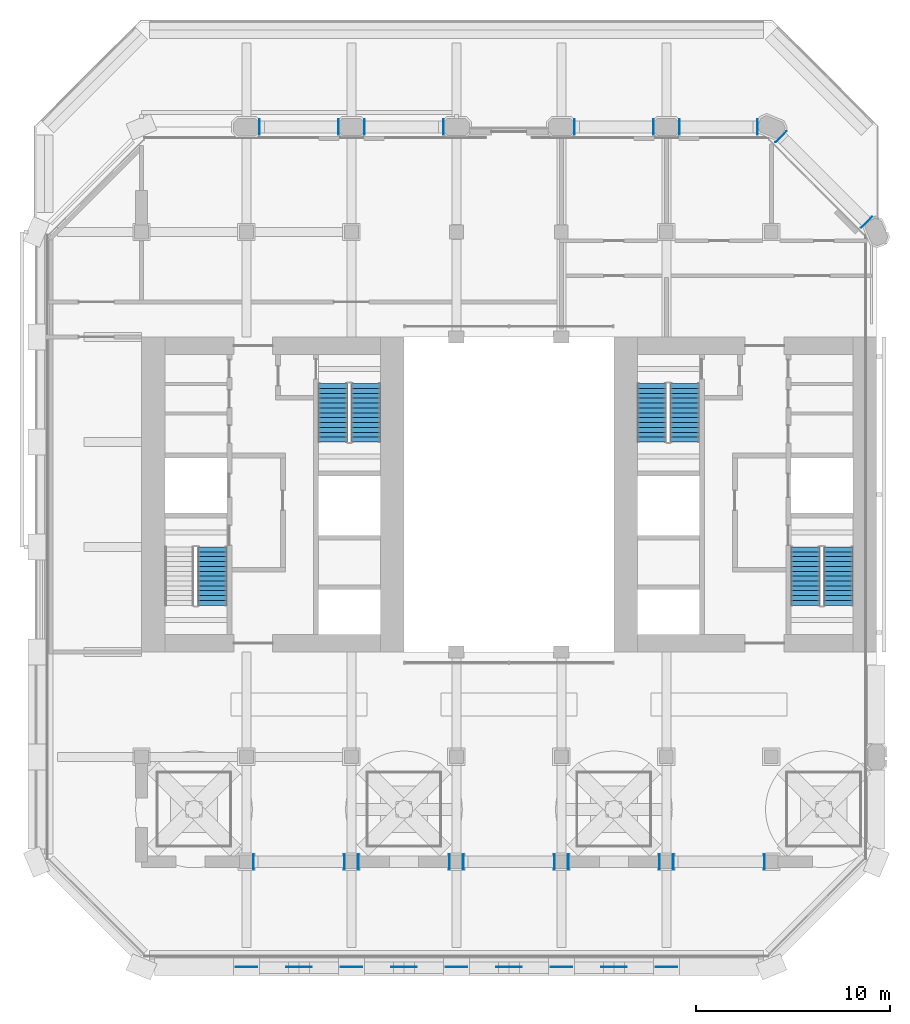
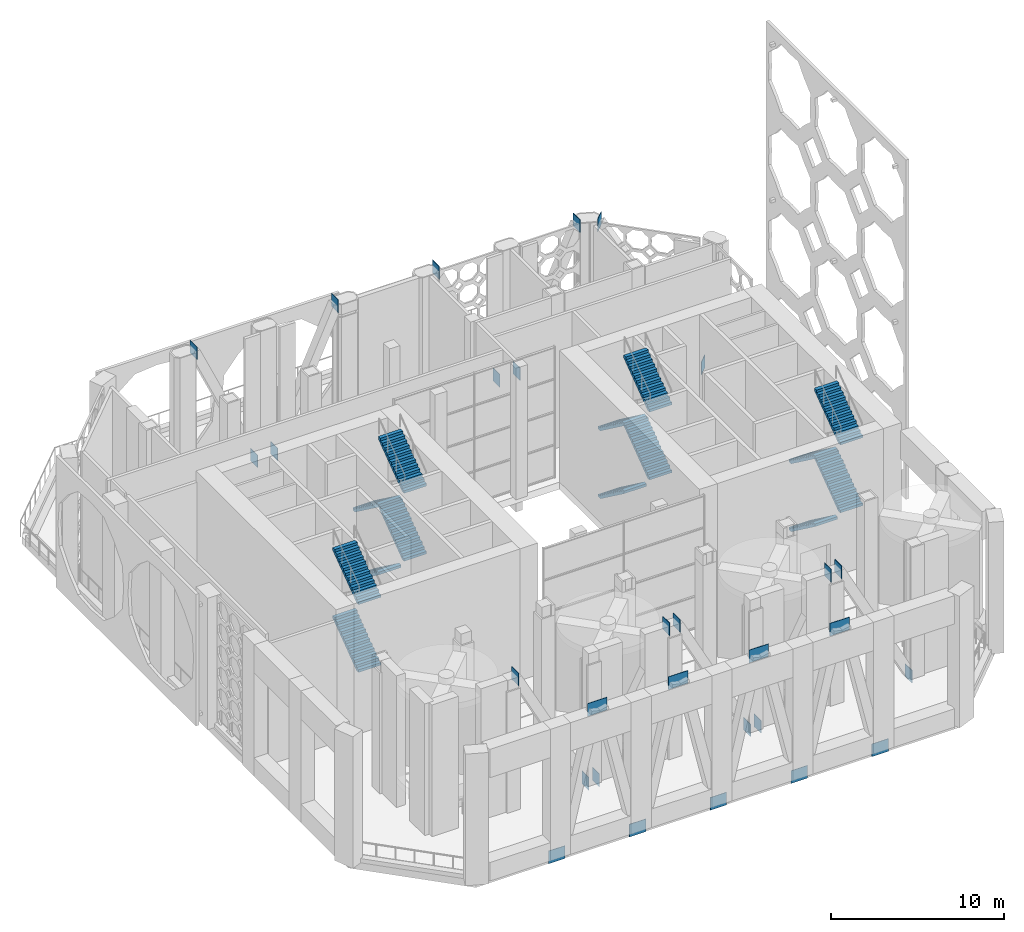
# One storey, part 12 of 28: 29 discrete accessories, 14 stair flights, 4 elements without a shape of their own.
"""IFC4 building model written with IfcOpenShell, lengths in metres."""

import ifcopenshell
import ifcopenshell.guid

model = None  # the IFC model being written
_history = None  # IfcOwnerHistory: only IFC2X3 demands one
_inside = {}  # id of a spatial element -> (the spatial element, [elements in it])
_under = {}  # id of a project, library or spatial element -> (it, [spatial elements below it])
_declared = {}  # id of a project -> (the project, [libraries it declares])
_typed = {}  # id of a type object -> (the type object, [elements of that type])
_made_of = {}  # id of a material, layer set ... -> (it, [elements and type objects made of it])


def new_model(schema):
    """Start an empty IFC model of exactly this schema.

    Asked for "IFC4X3", IfcOpenShell would pick the latest addendum, in which some entities
    have other attributes; the version numbers below select the first issue.
    IFC2X3 requires an IfcOwnerHistory on every rooted entity: one is made here for all.
    """
    global model, _history
    if schema == "IFC4X3":
        model = ifcopenshell.file(schema_version=(4, 3, 0, 0))
    else:
        model = ifcopenshell.file(schema=schema)
    _inside.clear()
    _under.clear()
    _declared.clear()
    _typed.clear()
    _made_of.clear()
    _history = None
    if model.schema == "IFC2X3":
        org = make("IfcOrganization", Name="unknown")
        user = make(
            "IfcPersonAndOrganization",
            ThePerson=make("IfcPerson", FamilyName="unknown"),
            TheOrganization=org,
        )
        app = make(
            "IfcApplication",
            ApplicationDeveloper=org,
            Version="unknown",
            ApplicationFullName="unknown",
            ApplicationIdentifier="unknown",
        )
        _history = make(
            "IfcOwnerHistory",
            OwningUser=user,
            OwningApplication=app,
            ChangeAction="ADDED",
            CreationDate=0,
        )
    return model


def make(cls, **values):
    """One entity of the class cls with the attributes given. An attribute that is None is left unset."""
    return model.create_entity(
        cls, **{name: value for name, value in values.items() if value is not None}
    )


def rooted(cls, **values):
    """An entity with a GlobalId (a new one), such as an element, a storey or a relation."""
    return make(cls, GlobalId=ifcopenshell.guid.new(), OwnerHistory=_history, **values)


def si_unit(unit_type, name, prefix=None):
    """IfcSIUnit, for example si_unit("LENGTHUNIT", "METRE", prefix="MILLI")."""
    return make("IfcSIUnit", UnitType=unit_type, Prefix=prefix, Name=name)


def assignment(units):
    """IfcUnitAssignment: the units of a project."""
    return None if units is None else make("IfcUnitAssignment", Units=units)


def point(xyz):
    """IfcCartesianPoint."""
    return None if xyz is None else make("IfcCartesianPoint", Coordinates=xyz)


def direction(xyz):
    """IfcDirection."""
    return None if xyz is None else make("IfcDirection", DirectionRatios=xyz)


def frame(location, z_axis=None, x_axis=None):
    """IfcAxis2Placement3D, a coordinate frame: its origin and axes. An axis left out is left unset."""
    return make(
        "IfcAxis2Placement3D",
        Location=point(location),
        Axis=direction(z_axis),
        RefDirection=direction(x_axis),
    )


def frame_2d(location, x_axis=None):
    """IfcAxis2Placement2D, a coordinate frame in the plane: its origin and x axis."""
    return make(
        "IfcAxis2Placement2D", Location=point(location), RefDirection=direction(x_axis)
    )


def origin():
    """The frame at (0, 0, 0) with its axes left unset."""
    return frame((0.0, 0.0, 0.0))


def origin_2d():
    """The frame at (0, 0) in the plane with its x axis left unset."""
    return frame_2d((0.0, 0.0))


def place(relative_to, where):
    """IfcLocalPlacement: puts the frame where relative to a parent placement (None: the world)."""
    return make(
        "IfcLocalPlacement", PlacementRelTo=relative_to, RelativePlacement=where
    )


def context(
    kind, dimensions, precision=None, world=None, true_north=None, identifier=None
):
    """IfcGeometricRepresentationContext, for example the 3D "Model" context."""
    return make(
        "IfcGeometricRepresentationContext",
        ContextIdentifier=identifier,
        ContextType=kind,
        CoordinateSpaceDimension=dimensions,
        Precision=precision,
        WorldCoordinateSystem=world,
        TrueNorth=true_north,
    )


def subcontext(parent, identifier, kind, view, scale=None):
    """IfcGeometricRepresentationSubContext, for example "Body" below "Model"."""
    return make(
        "IfcGeometricRepresentationSubContext",
        ContextIdentifier=identifier,
        ContextType=kind,
        ParentContext=parent,
        TargetScale=scale,
        TargetView=view,
    )


def project(units=None, contexts=None):
    """IfcProject with its units and contexts."""
    return rooted(
        "IfcProject",
        Name="project",
        RepresentationContexts=contexts,
        UnitsInContext=assignment(units),
    )


def spatial(cls, under=None, at=None, **own):
    """A site, building, storey or space (cls), placed at a placement, below another one or the project."""
    s = rooted(cls, ObjectPlacement=at, **own)
    if under is not None:
        _under.setdefault(under.id(), (under, []))[1].append(s)
    return s


def polyline(points):
    """IfcPolyline through the points."""
    return make("IfcPolyline", Points=[point(p) for p in points])


def profile(cls, at=None, kind="AREA", **sizes):
    """A parametric profile (cls). Its sizes go by their IFC names, for example OverallWidth=200.0."""
    return make(cls, ProfileType=kind, Position=at, **sizes)


def rectangle(**sizes):
    """IfcRectangleProfileDef."""
    return profile("IfcRectangleProfileDef", **sizes)


def outline(outer, holes=None, kind="AREA"):
    """IfcArbitraryClosedProfileDef: a profile drawn as a closed curve; with holes, ...WithVoids."""
    if holes is None:
        return make("IfcArbitraryClosedProfileDef", ProfileType=kind, OuterCurve=outer)
    return make(
        "IfcArbitraryProfileDefWithVoids",
        ProfileType=kind,
        OuterCurve=outer,
        InnerCurves=holes,
    )


def extrude(swept, where, along, depth):
    """IfcExtrudedAreaSolid: the profile swept, set in the frame where, extruded along a direction by depth."""
    return make(
        "IfcExtrudedAreaSolid",
        SweptArea=swept,
        Position=where,
        ExtrudedDirection=direction(along),
        Depth=depth,
    )


def shape(context_of_items, identifier, shape_type, items):
    """IfcShapeRepresentation: the items that make up one representation, for example the "Body"."""
    return make(
        "IfcShapeRepresentation",
        ContextOfItems=context_of_items,
        RepresentationIdentifier=identifier,
        RepresentationType=shape_type,
        Items=items,
    )


def material(Name=None, Category=None):
    """IfcMaterial."""
    return make("IfcMaterial", Name=Name, Category=Category)


def layer(
    of_material, thickness, ventilated=None, Name=None, Category=None, Priority=None
):
    """IfcMaterialLayer: one layer of a wall or slab, of a material (None: an air gap)."""
    return make(
        "IfcMaterialLayer",
        Material=of_material,
        LayerThickness=thickness,
        IsVentilated=ventilated,
        Name=Name,
        Category=Category,
        Priority=Priority,
    )


def layer_set(layers, Name=None):
    """IfcMaterialLayerSet."""
    return make("IfcMaterialLayerSet", MaterialLayers=layers, LayerSetName=Name)


def made_of(thing, what):
    """Note that an element or type object is made of a material, layer set ...; save() writes the relation."""
    if what is not None:
        _made_of.setdefault(what.id(), (what, []))[1].append(thing)
    return thing


def type_object(cls, material=None, **own):
    """A type object (cls), such as IfcWallType, which elements share."""
    return made_of(rooted(cls, **own), material)


def element(
    cls,
    number,
    at=None,
    inside=None,
    cuts=None,
    type_object=None,
    material=None,
    context=None,
    identifier="Body",
    shape_type=None,
    held_by="IfcProductDefinitionShape",
    body=None,
    shapes=None,
    **own,
):
    """One element of the class cls, such as IfcWall. Its Tag is "e" and its number.

    at: its placement. inside: the storey or other place that contains it. cuts: it is an
    opening in that element (IfcRelVoidsElement). A single representation is given by context,
    identifier, shape_type and body (its items); several are given by shapes. held_by: the class
    of the entity that holds the representations. save() writes the other relations.
    """
    e = rooted(cls, Tag="e%d" % number, ObjectPlacement=at, **own)
    if body is not None:
        shapes = [shape(context, identifier, shape_type, body)]
    if shapes is not None:
        e.Representation = make(held_by, Representations=shapes)
    if inside is not None:
        _inside.setdefault(inside.id(), (inside, []))[1].append(e)
    if cuts is not None:
        rooted(
            "IfcRelVoidsElement", RelatingBuildingElement=cuts, RelatedOpeningElement=e
        )
    if type_object is not None:
        _typed.setdefault(type_object.id(), (type_object, []))[1].append(e)
    return made_of(e, material)


def aggregate(whole, parts):
    """IfcRelAggregates: a whole, such as a stair, and the parts it consists of."""
    return rooted("IfcRelAggregates", RelatingObject=whole, RelatedObjects=parts)


def save(model, path):
    """Write the relations noted so far, then the file.

    IfcRelAggregates (storeys below a building ...), IfcRelContainedInSpatialStructure (elements
    in a storey), IfcRelDefinesByType, IfcRelAssociatesMaterial and IfcRelDeclares: one each for
    every whole, place, type object, material and project.
    """
    for whole, parts in _under.values():
        aggregate(whole, parts)
    for where, things in _inside.values():
        rooted(
            "IfcRelContainedInSpatialStructure",
            RelatedElements=things,
            RelatingStructure=where,
        )
    for kind, things in _typed.values():
        rooted("IfcRelDefinesByType", RelatedObjects=things, RelatingType=kind)
    for what, things in _made_of.values():
        rooted("IfcRelAssociatesMaterial", RelatedObjects=things, RelatingMaterial=what)
    for by, libraries in _declared.values():
        rooted("IfcRelDeclares", RelatingContext=by, RelatedDefinitions=libraries)
    model.write(path)


model = new_model("IFC4")

# Units and contexts
model_context = context("Model", 3, precision=1e-05, world=origin(), true_north=direction((0.0, 1.0)))
body_context = subcontext(model_context, "Body", "Model", "MODEL_VIEW")
ifc_project = project(units=[si_unit("LENGTHUNIT", "METRE"), si_unit("AREAUNIT", "SQUARE_METRE"), si_unit("VOLUMEUNIT", "CUBIC_METRE"), si_unit("PLANEANGLEUNIT", "RADIAN"), si_unit("MASSUNIT", "GRAM", prefix="KILO")], contexts=[model_context])

# Site, building, storey
site_placement = place(None, origin())
site = spatial("IfcSite", under=ifc_project, at=site_placement, CompositionType="ELEMENT")
building_placement = place(site_placement, origin())
building = spatial("IfcBuilding", under=site, at=building_placement, Name="Tabaq Tower and Sports Hall", CompositionType="ELEMENT")
storey_placement = place(building_placement, frame((0.0, 0.0, 233.5)))
storey = spatial("IfcBuildingStorey", under=building, at=storey_placement, Name="L59", CompositionType="ELEMENT", Elevation=233.5)

# Stair, stair flights
ifc_material_1 = material(Name="Concrete C40/50", Category="concrete")
stair_type = type_object("IfcStairType", Name="Exit stair", PredefinedType="HALF_TURN_STAIR", material=ifc_material_1)
stair_1_placement = place(storey_placement, origin())
stair_1 = element("IfcStair", 1, at=stair_1_placement, inside=storey, type_object=stair_type, Name="L59 Exit stair ST1", PredefinedType="HALF_TURN_STAIR")
ifc_material_2 = material(Name="Concrete C40/50", Category="concrete")
stair_flight_type = type_object("IfcStairFlightType", Name="Exit stair flight", PredefinedType="STRAIGHT", material=ifc_material_2)
stair_flight_1_placement = place(storey_placement, frame((9.050048828125, 18.60009765625, 2.39990234375), z_axis=(0.0, 0.0, 1.0), x_axis=(0.0, 1.0, 0.0)))
stair_flight_1 = element("IfcStairFlight", 2, at=stair_flight_1_placement, type_object=stair_flight_type, Name="ST1 flight 2", NumberOfRisers=13, NumberOfTreads=12, PredefinedType="STRAIGHT", RiserHeight=0.184615385, TreadLength=0.25, context=body_context, shape_type="SweptSolid", body=[
    extrude(outline(polyline([(0.0, 0.0), (0.0, 0.1845703125), (0.25, 0.1845703125), (0.25, 0.369140625), (0.5, 0.369140625), (0.5, 0.553955078125), (0.75, 0.553955078125), (0.75, 0.738525390625), (1.0, 0.738525390625), (1.0, 0.923095703125), (1.25, 0.923095703125), (1.25, 1.107666015625), (1.5, 1.107666015625), (1.5, 1.292236328125), (1.75, 1.292236328125), (1.75, 1.476806640625), (2.0, 1.476806640625), (2.0, 1.66162109375), (2.25, 1.66162109375), (2.25, 1.84619140625), (2.5, 1.84619140625), (2.5, 2.03076171875), (2.75, 2.03076171875), (2.75, 2.21533203125), (3.0, 2.21533203125), (3.0, 2.39990234375), (3.0, 2.029052734375), (0.25244140625, 0.0), (0.0, 0.0)])), frame((0.0, 0.75, 0.0), z_axis=(0.0, -1.0, 0.0), x_axis=(1.0, 0.0, 0.0)), (0.0, 0.0, 1.0), 1.5),
])
stair_flight_2_placement = place(storey_placement, frame((9.050048828125, 18.60009765625, 7.199951171875), z_axis=(0.0, 0.0, 1.0), x_axis=(0.0, 1.0, 0.0)))
stair_flight_2 = element("IfcStairFlight", 3, at=stair_flight_2_placement, type_object=stair_flight_type, Name="ST1 flight 4", NumberOfRisers=13, NumberOfTreads=12, PredefinedType="STRAIGHT", RiserHeight=0.184615385, TreadLength=0.25, context=body_context, shape_type="SweptSolid", body=[
    extrude(outline(polyline([(0.0, 0.0), (0.0, 0.1845703125), (0.25, 0.1845703125), (0.25, 0.369140625), (0.5, 0.369140625), (0.5, 0.553955078125), (0.75, 0.553955078125), (0.75, 0.738525390625), (1.0, 0.738525390625), (1.0, 0.923095703125), (1.25, 0.923095703125), (1.25, 1.107666015625), (1.5, 1.107666015625), (1.5, 1.292236328125), (1.75, 1.292236328125), (1.75, 1.476806640625), (2.0, 1.476806640625), (2.0, 1.66162109375), (2.25, 1.66162109375), (2.25, 1.84619140625), (2.5, 1.84619140625), (2.5, 2.03076171875), (2.75, 2.03076171875), (2.75, 2.21533203125), (3.0, 2.21533203125), (3.0, 2.39990234375), (3.0, 2.029052734375), (0.25244140625, 0.0), (0.0, 0.0)])), frame((0.0, 0.75, 0.0), z_axis=(0.0, -1.0, 0.0), x_axis=(1.0, 0.0, 0.0)), (0.0, 0.0, 1.0), 1.5),
])
aggregate(stair_1, [stair_flight_1, stair_flight_2])

stair_2_placement = place(storey_placement, origin())
stair_2 = element("IfcStair", 4, at=stair_2_placement, inside=storey, type_object=stair_type, Name="L59 Exit stair ST2", PredefinedType="HALF_TURN_STAIR")
stair_flight_3_placement = place(storey_placement, frame((15.25, 30.0, 0.0), z_axis=(0.0, 0.0, 1.0), x_axis=(0.0, -1.0, 0.0)))
stair_flight_3 = element("IfcStairFlight", 5, at=stair_flight_3_placement, type_object=stair_flight_type, Name="ST2 flight 1", NumberOfRisers=13, NumberOfTreads=12, PredefinedType="STRAIGHT", RiserHeight=0.184615385, TreadLength=0.25, context=body_context, shape_type="SweptSolid", body=[
    extrude(outline(polyline([(0.0, 0.0), (0.0, 0.1845703125), (0.25, 0.1845703125), (0.25, 0.369140625), (0.5, 0.369140625), (0.5, 0.553955078125), (0.75, 0.553955078125), (0.75, 0.738525390625), (1.0, 0.738525390625), (1.0, 0.923095703125), (1.25, 0.923095703125), (1.25, 1.107666015625), (1.5, 1.107666015625), (1.5, 1.292236328125), (1.75, 1.292236328125), (1.75, 1.476806640625), (2.0, 1.476806640625), (2.0, 1.66162109375), (2.25, 1.66162109375), (2.25, 1.84619140625), (2.5, 1.84619140625), (2.5, 2.03076171875), (2.75, 2.03076171875), (2.75, 2.21533203125), (3.0, 2.21533203125), (3.0, 2.39990234375), (3.0, 2.029052734375), (0.25244140625, 0.0), (0.0, 0.0)])), frame((0.0, 0.75, 0.0), z_axis=(0.0, -1.0, 0.0), x_axis=(1.0, 0.0, 0.0)), (0.0, 0.0, 1.0), 1.5),
])
stair_flight_4_placement = place(storey_placement, frame((16.949951171875, 27.0, 2.39990234375), z_axis=(0.0, 0.0, 1.0), x_axis=(0.0, 1.0, 0.0)))
stair_flight_4 = element("IfcStairFlight", 6, at=stair_flight_4_placement, type_object=stair_flight_type, Name="ST2 flight 2", NumberOfRisers=13, NumberOfTreads=12, PredefinedType="STRAIGHT", RiserHeight=0.184615385, TreadLength=0.25, context=body_context, shape_type="SweptSolid", body=[
    extrude(outline(polyline([(0.0, 0.0), (0.0, 0.1845703125), (0.25, 0.1845703125), (0.25, 0.369140625), (0.5, 0.369140625), (0.5, 0.553955078125), (0.75, 0.553955078125), (0.75, 0.738525390625), (1.0, 0.738525390625), (1.0, 0.923095703125), (1.25, 0.923095703125), (1.25, 1.107666015625), (1.5, 1.107666015625), (1.5, 1.292236328125), (1.75, 1.292236328125), (1.75, 1.476806640625), (2.0, 1.476806640625), (2.0, 1.66162109375), (2.25, 1.66162109375), (2.25, 1.84619140625), (2.5, 1.84619140625), (2.5, 2.03076171875), (2.75, 2.03076171875), (2.75, 2.21533203125), (3.0, 2.21533203125), (3.0, 2.39990234375), (3.0, 2.029052734375), (0.25244140625, 0.0), (0.0, 0.0)])), frame((0.0, 0.75, 0.0), z_axis=(0.0, -1.0, 0.0), x_axis=(1.0, 0.0, 0.0)), (0.0, 0.0, 1.0), 1.5),
])
stair_flight_5_placement = place(storey_placement, frame((15.25, 30.0, 4.800048828125), z_axis=(0.0, 0.0, 1.0), x_axis=(0.0, -1.0, 0.0)))
stair_flight_5 = element("IfcStairFlight", 7, at=stair_flight_5_placement, type_object=stair_flight_type, Name="ST2 flight 3", NumberOfRisers=13, NumberOfTreads=12, PredefinedType="STRAIGHT", RiserHeight=0.184615385, TreadLength=0.25, context=body_context, shape_type="SweptSolid", body=[
    extrude(outline(polyline([(0.0, 0.0), (0.0, 0.1845703125), (0.25, 0.1845703125), (0.25, 0.369140625), (0.5, 0.369140625), (0.5, 0.553955078125), (0.75, 0.553955078125), (0.75, 0.738525390625), (1.0, 0.738525390625), (1.0, 0.923095703125), (1.25, 0.923095703125), (1.25, 1.107666015625), (1.5, 1.107666015625), (1.5, 1.292236328125), (1.75, 1.292236328125), (1.75, 1.476806640625), (2.0, 1.476806640625), (2.0, 1.66162109375), (2.25, 1.66162109375), (2.25, 1.84619140625), (2.5, 1.84619140625), (2.5, 2.03076171875), (2.75, 2.03076171875), (2.75, 2.21533203125), (3.0, 2.21533203125), (3.0, 2.39990234375), (3.0, 2.029052734375), (0.25244140625, 0.0), (0.0, 0.0)])), frame((0.0, 0.75, 0.0), z_axis=(0.0, -1.0, 0.0), x_axis=(1.0, 0.0, 0.0)), (0.0, 0.0, 1.0), 1.5),
])
stair_flight_6_placement = place(storey_placement, frame((16.949951171875, 27.0, 7.199951171875), z_axis=(0.0, 0.0, 1.0), x_axis=(0.0, 1.0, 0.0)))
stair_flight_6 = element("IfcStairFlight", 8, at=stair_flight_6_placement, type_object=stair_flight_type, Name="ST2 flight 4", NumberOfRisers=13, NumberOfTreads=12, PredefinedType="STRAIGHT", RiserHeight=0.184615385, TreadLength=0.25, context=body_context, shape_type="SweptSolid", body=[
    extrude(outline(polyline([(0.0, 0.0), (0.0, 0.1845703125), (0.25, 0.1845703125), (0.25, 0.369140625), (0.5, 0.369140625), (0.5, 0.553955078125), (0.75, 0.553955078125), (0.75, 0.738525390625), (1.0, 0.738525390625), (1.0, 0.923095703125), (1.25, 0.923095703125), (1.25, 1.107666015625), (1.5, 1.107666015625), (1.5, 1.292236328125), (1.75, 1.292236328125), (1.75, 1.476806640625), (2.0, 1.476806640625), (2.0, 1.66162109375), (2.25, 1.66162109375), (2.25, 1.84619140625), (2.5, 1.84619140625), (2.5, 2.03076171875), (2.75, 2.03076171875), (2.75, 2.21533203125), (3.0, 2.21533203125), (3.0, 2.39990234375), (3.0, 2.029052734375), (0.25244140625, 0.0), (0.0, 0.0)])), frame((0.0, 0.75, 0.0), z_axis=(0.0, -1.0, 0.0), x_axis=(1.0, 0.0, 0.0)), (0.0, 0.0, 1.0), 1.5),
])
aggregate(stair_2, [stair_flight_3, stair_flight_4, stair_flight_5, stair_flight_6])

stair_3_placement = place(storey_placement, origin())
stair_3 = element("IfcStair", 9, at=stair_3_placement, inside=storey, type_object=stair_type, Name="L59 Exit stair ST3", PredefinedType="HALF_TURN_STAIR")
stair_flight_7_placement = place(storey_placement, frame((39.550048828125, 21.60009765625, 0.0), z_axis=(0.0, 0.0, 1.0), x_axis=(0.0, -1.0, 0.0)))
stair_flight_7 = element("IfcStairFlight", 10, at=stair_flight_7_placement, type_object=stair_flight_type, Name="ST3 flight 1", NumberOfRisers=13, NumberOfTreads=12, PredefinedType="STRAIGHT", RiserHeight=0.184615385, TreadLength=0.25, context=body_context, shape_type="SweptSolid", body=[
    extrude(outline(polyline([(0.0, 0.0), (0.0, 0.1845703125), (0.25, 0.1845703125), (0.25, 0.369140625), (0.5, 0.369140625), (0.5, 0.553955078125), (0.75, 0.553955078125), (0.75, 0.738525390625), (1.0, 0.738525390625), (1.0, 0.923095703125), (1.25, 0.923095703125), (1.25, 1.107666015625), (1.5, 1.107666015625), (1.5, 1.292236328125), (1.75, 1.292236328125), (1.75, 1.476806640625), (2.0, 1.476806640625), (2.0, 1.66162109375), (2.25, 1.66162109375), (2.25, 1.84619140625), (2.5, 1.84619140625), (2.5, 2.03076171875), (2.75, 2.03076171875), (2.75, 2.21533203125), (3.0, 2.21533203125), (3.0, 2.39990234375), (3.0, 2.029052734375), (0.25244140625, 0.0), (0.0, 0.0)])), frame((0.0, 0.75, 0.0), z_axis=(0.0, -1.0, 0.0), x_axis=(1.0, 0.0, 0.0)), (0.0, 0.0, 1.0), 1.5),
])
stair_flight_8_placement = place(storey_placement, frame((41.25, 18.60009765625, 2.39990234375), z_axis=(0.0, 0.0, 1.0), x_axis=(0.0, 1.0, 0.0)))
stair_flight_8 = element("IfcStairFlight", 11, at=stair_flight_8_placement, type_object=stair_flight_type, Name="ST3 flight 2", NumberOfRisers=13, NumberOfTreads=12, PredefinedType="STRAIGHT", RiserHeight=0.184615385, TreadLength=0.25, context=body_context, shape_type="SweptSolid", body=[
    extrude(outline(polyline([(0.0, 0.0), (0.0, 0.1845703125), (0.25, 0.1845703125), (0.25, 0.369140625), (0.5, 0.369140625), (0.5, 0.553955078125), (0.75, 0.553955078125), (0.75, 0.738525390625), (1.0, 0.738525390625), (1.0, 0.923095703125), (1.25, 0.923095703125), (1.25, 1.107666015625), (1.5, 1.107666015625), (1.5, 1.292236328125), (1.75, 1.292236328125), (1.75, 1.476806640625), (2.0, 1.476806640625), (2.0, 1.66162109375), (2.25, 1.66162109375), (2.25, 1.84619140625), (2.5, 1.84619140625), (2.5, 2.03076171875), (2.75, 2.03076171875), (2.75, 2.21533203125), (3.0, 2.21533203125), (3.0, 2.39990234375), (3.0, 2.029052734375), (0.25244140625, 0.0), (0.0, 0.0)])), frame((0.0, 0.75, 0.0), z_axis=(0.0, -1.0, 0.0), x_axis=(1.0, 0.0, 0.0)), (0.0, 0.0, 1.0), 1.5),
])
stair_flight_9_placement = place(storey_placement, frame((39.550048828125, 21.60009765625, 4.800048828125), z_axis=(0.0, 0.0, 1.0), x_axis=(0.0, -1.0, 0.0)))
stair_flight_9 = element("IfcStairFlight", 12, at=stair_flight_9_placement, type_object=stair_flight_type, Name="ST3 flight 3", NumberOfRisers=13, NumberOfTreads=12, PredefinedType="STRAIGHT", RiserHeight=0.184615385, TreadLength=0.25, context=body_context, shape_type="SweptSolid", body=[
    extrude(outline(polyline([(0.0, 0.0), (0.0, 0.1845703125), (0.25, 0.1845703125), (0.25, 0.369140625), (0.5, 0.369140625), (0.5, 0.553955078125), (0.75, 0.553955078125), (0.75, 0.738525390625), (1.0, 0.738525390625), (1.0, 0.923095703125), (1.25, 0.923095703125), (1.25, 1.107666015625), (1.5, 1.107666015625), (1.5, 1.292236328125), (1.75, 1.292236328125), (1.75, 1.476806640625), (2.0, 1.476806640625), (2.0, 1.66162109375), (2.25, 1.66162109375), (2.25, 1.84619140625), (2.5, 1.84619140625), (2.5, 2.03076171875), (2.75, 2.03076171875), (2.75, 2.21533203125), (3.0, 2.21533203125), (3.0, 2.39990234375), (3.0, 2.029052734375), (0.25244140625, 0.0), (0.0, 0.0)])), frame((0.0, 0.75, 0.0), z_axis=(0.0, -1.0, 0.0), x_axis=(1.0, 0.0, 0.0)), (0.0, 0.0, 1.0), 1.5),
])
stair_flight_10_placement = place(storey_placement, frame((41.25, 18.60009765625, 7.199951171875), z_axis=(0.0, 0.0, 1.0), x_axis=(0.0, 1.0, 0.0)))
stair_flight_10 = element("IfcStairFlight", 13, at=stair_flight_10_placement, type_object=stair_flight_type, Name="ST3 flight 4", NumberOfRisers=13, NumberOfTreads=12, PredefinedType="STRAIGHT", RiserHeight=0.184615385, TreadLength=0.25, context=body_context, shape_type="SweptSolid", body=[
    extrude(outline(polyline([(0.0, 0.0), (0.0, 0.1845703125), (0.25, 0.1845703125), (0.25, 0.369140625), (0.5, 0.369140625), (0.5, 0.553955078125), (0.75, 0.553955078125), (0.75, 0.738525390625), (1.0, 0.738525390625), (1.0, 0.923095703125), (1.25, 0.923095703125), (1.25, 1.107666015625), (1.5, 1.107666015625), (1.5, 1.292236328125), (1.75, 1.292236328125), (1.75, 1.476806640625), (2.0, 1.476806640625), (2.0, 1.66162109375), (2.25, 1.66162109375), (2.25, 1.84619140625), (2.5, 1.84619140625), (2.5, 2.03076171875), (2.75, 2.03076171875), (2.75, 2.21533203125), (3.0, 2.21533203125), (3.0, 2.39990234375), (3.0, 2.029052734375), (0.25244140625, 0.0), (0.0, 0.0)])), frame((0.0, 0.75, 0.0), z_axis=(0.0, -1.0, 0.0), x_axis=(1.0, 0.0, 0.0)), (0.0, 0.0, 1.0), 1.5),
])
aggregate(stair_3, [stair_flight_7, stair_flight_8, stair_flight_9, stair_flight_10])

stair_4_placement = place(storey_placement, origin())
stair_4 = element("IfcStair", 14, at=stair_4_placement, inside=storey, type_object=stair_type, Name="L59 Exit stair ST4", PredefinedType="HALF_TURN_STAIR")
stair_flight_11_placement = place(storey_placement, frame((31.64990234375, 30.0, 0.0), z_axis=(0.0, 0.0, 1.0), x_axis=(0.0, -1.0, 0.0)))
stair_flight_11 = element("IfcStairFlight", 15, at=stair_flight_11_placement, type_object=stair_flight_type, Name="ST4 flight 1", NumberOfRisers=13, NumberOfTreads=12, PredefinedType="STRAIGHT", RiserHeight=0.184615385, TreadLength=0.25, context=body_context, shape_type="SweptSolid", body=[
    extrude(outline(polyline([(0.0, 0.0), (0.0, 0.1845703125), (0.25, 0.1845703125), (0.25, 0.369140625), (0.5, 0.369140625), (0.5, 0.553955078125), (0.75, 0.553955078125), (0.75, 0.738525390625), (1.0, 0.738525390625), (1.0, 0.923095703125), (1.25, 0.923095703125), (1.25, 1.107666015625), (1.5, 1.107666015625), (1.5, 1.292236328125), (1.75, 1.292236328125), (1.75, 1.476806640625), (2.0, 1.476806640625), (2.0, 1.66162109375), (2.25, 1.66162109375), (2.25, 1.84619140625), (2.5, 1.84619140625), (2.5, 2.03076171875), (2.75, 2.03076171875), (2.75, 2.21533203125), (3.0, 2.21533203125), (3.0, 2.39990234375), (3.0, 2.029052734375), (0.25244140625, 0.0), (0.0, 0.0)])), frame((0.0, 0.75, 0.0), z_axis=(0.0, -1.0, 0.0), x_axis=(1.0, 0.0, 0.0)), (0.0, 0.0, 1.0), 1.5),
])
stair_flight_12_placement = place(storey_placement, frame((33.35009765625, 27.0, 2.39990234375), z_axis=(0.0, 0.0, 1.0), x_axis=(0.0, 1.0, 0.0)))
stair_flight_12 = element("IfcStairFlight", 16, at=stair_flight_12_placement, type_object=stair_flight_type, Name="ST4 flight 2", NumberOfRisers=13, NumberOfTreads=12, PredefinedType="STRAIGHT", RiserHeight=0.184615385, TreadLength=0.25, context=body_context, shape_type="SweptSolid", body=[
    extrude(outline(polyline([(0.0, 0.0), (0.0, 0.1845703125), (0.25, 0.1845703125), (0.25, 0.369140625), (0.5, 0.369140625), (0.5, 0.553955078125), (0.75, 0.553955078125), (0.75, 0.738525390625), (1.0, 0.738525390625), (1.0, 0.923095703125), (1.25, 0.923095703125), (1.25, 1.107666015625), (1.5, 1.107666015625), (1.5, 1.292236328125), (1.75, 1.292236328125), (1.75, 1.476806640625), (2.0, 1.476806640625), (2.0, 1.66162109375), (2.25, 1.66162109375), (2.25, 1.84619140625), (2.5, 1.84619140625), (2.5, 2.03076171875), (2.75, 2.03076171875), (2.75, 2.21533203125), (3.0, 2.21533203125), (3.0, 2.39990234375), (3.0, 2.029052734375), (0.25244140625, 0.0), (0.0, 0.0)])), frame((0.0, 0.75, 0.0), z_axis=(0.0, -1.0, 0.0), x_axis=(1.0, 0.0, 0.0)), (0.0, 0.0, 1.0), 1.5),
])
stair_flight_13_placement = place(storey_placement, frame((31.64990234375, 30.0, 4.800048828125), z_axis=(0.0, 0.0, 1.0), x_axis=(0.0, -1.0, 0.0)))
stair_flight_13 = element("IfcStairFlight", 17, at=stair_flight_13_placement, type_object=stair_flight_type, Name="ST4 flight 3", NumberOfRisers=13, NumberOfTreads=12, PredefinedType="STRAIGHT", RiserHeight=0.184615385, TreadLength=0.25, context=body_context, shape_type="SweptSolid", body=[
    extrude(outline(polyline([(0.0, 0.0), (0.0, 0.1845703125), (0.25, 0.1845703125), (0.25, 0.369140625), (0.5, 0.369140625), (0.5, 0.553955078125), (0.75, 0.553955078125), (0.75, 0.738525390625), (1.0, 0.738525390625), (1.0, 0.923095703125), (1.25, 0.923095703125), (1.25, 1.107666015625), (1.5, 1.107666015625), (1.5, 1.292236328125), (1.75, 1.292236328125), (1.75, 1.476806640625), (2.0, 1.476806640625), (2.0, 1.66162109375), (2.25, 1.66162109375), (2.25, 1.84619140625), (2.5, 1.84619140625), (2.5, 2.03076171875), (2.75, 2.03076171875), (2.75, 2.21533203125), (3.0, 2.21533203125), (3.0, 2.39990234375), (3.0, 2.029052734375), (0.25244140625, 0.0), (0.0, 0.0)])), frame((0.0, 0.75, 0.0), z_axis=(0.0, -1.0, 0.0), x_axis=(1.0, 0.0, 0.0)), (0.0, 0.0, 1.0), 1.5),
])
stair_flight_14_placement = place(storey_placement, frame((33.35009765625, 27.0, 7.199951171875), z_axis=(0.0, 0.0, 1.0), x_axis=(0.0, 1.0, 0.0)))
stair_flight_14 = element("IfcStairFlight", 18, at=stair_flight_14_placement, type_object=stair_flight_type, Name="ST4 flight 4", NumberOfRisers=13, NumberOfTreads=12, PredefinedType="STRAIGHT", RiserHeight=0.184615385, TreadLength=0.25, context=body_context, shape_type="SweptSolid", body=[
    extrude(outline(polyline([(0.0, 0.0), (0.0, 0.1845703125), (0.25, 0.1845703125), (0.25, 0.369140625), (0.5, 0.369140625), (0.5, 0.553955078125), (0.75, 0.553955078125), (0.75, 0.738525390625), (1.0, 0.738525390625), (1.0, 0.923095703125), (1.25, 0.923095703125), (1.25, 1.107666015625), (1.5, 1.107666015625), (1.5, 1.292236328125), (1.75, 1.292236328125), (1.75, 1.476806640625), (2.0, 1.476806640625), (2.0, 1.66162109375), (2.25, 1.66162109375), (2.25, 1.84619140625), (2.5, 1.84619140625), (2.5, 2.03076171875), (2.75, 2.03076171875), (2.75, 2.21533203125), (3.0, 2.21533203125), (3.0, 2.39990234375), (3.0, 2.029052734375), (0.25244140625, 0.0), (0.0, 0.0)])), frame((0.0, 0.75, 0.0), z_axis=(0.0, -1.0, 0.0), x_axis=(1.0, 0.0, 0.0)), (0.0, 0.0, 1.0), 1.5),
])
aggregate(stair_4, [stair_flight_11, stair_flight_12, stair_flight_13, stair_flight_14])

# Discrete accessories
ifc_material_3 = material(Name="Steel S355", Category="steel")
ifc_layer_1 = layer(ifc_material_3, 0.030029296875)
ifc_layer_set_1 = layer_set([ifc_layer_1], Name="BELT TRUSS NODE PLATE 800x900x30 S355")
discrete_accessory_type_1 = type_object("IfcDiscreteAccessoryType", Name="BELT TRUSS NODE PLATE 800x900x30 S355", PredefinedType="ANCHORPLATE", material=ifc_layer_set_1)
for number, where, z_axis, x_axis, name in (
    (19, (42.6982421875, 38.3017578125, -0.27783203125), (0.0, 0.0, 1.0), (-0.707106781187, 0.707106781187, 0.0), "Belt truss node plate L59"),
    (20, (38.3017578125, 42.6982421875, 8.677734375), (0.0, 0.0, 1.0), (-0.707106781187, 0.707106781187, 0.0), "Belt truss node plate L59"),
    (21, (37.09033203125, 43.199951171875, 8.726806640625), (0.0, 0.0, 1.0), (-1.0, 0.0, 0.0), "Belt truss node plate L59"),
    (22, (33.074951171875, 43.199951171875, -0.326904296875), (0.0, 0.0, 1.0), (-1.0, 0.0, 0.0), "Belt truss node plate L59"),
    (23, (31.72509765625, 43.199951171875, -0.325927734375), (0.0, 0.0, 1.0), (-1.0, 0.0, 0.0), "Belt truss node plate L59"),
    (24, (27.675048828125, 43.199951171875, 8.72607421875), (0.0, 0.0, 1.0), (-1.0, 0.0, 0.0), "Belt truss node plate L59"),
    (25, (20.925048828125, 43.199951171875, 8.72607421875), (0.0, 0.0, 1.0), (-1.0, 0.0, 0.0), "Belt truss node plate L59"),
    (26, (16.875, 43.199951171875, -0.325927734375), (0.0, 0.0, 1.0), (-1.0, 0.0, 0.0), "Belt truss node plate L59"),
    (27, (15.52490234375, 43.199951171875, -0.325927734375), (0.0, 0.0, 1.0), (-1.0, 0.0, 0.0), "Belt truss node plate L59"),
    (28, (11.47509765625, 43.199951171875, 8.72607421875), (0.0, 0.0, 1.0), (-1.0, 0.0, 0.0), "Belt truss node plate L59"),
    (29, (11.14990234375, 5.39990234375, 8.7099609375), (0.0, 0.0, 1.0), (1.0, 0.0, 0.0), "Belt truss node plate L59"),
    (30, (15.85009765625, 5.39990234375, -0.309814453125), (0.0, 0.0, 1.0), (1.0, 0.0, 0.0), "Belt truss node plate L59"),
    (31, (16.550048828125, 5.39990234375, -0.309814453125), (0.0, 0.0, 1.0), (1.0, 0.0, 0.0), "Belt truss node plate L59"),
    (32, (21.25, 5.39990234375, 8.7099609375), (0.0, 0.0, 1.0), (1.0, 0.0, 0.0), "Belt truss node plate L59"),
    (33, (21.949951171875, 5.39990234375, 8.7099609375), (0.0, 0.0, 1.0), (1.0, 0.0, 0.0), "Belt truss node plate L59"),
    (34, (26.64990234375, 5.39990234375, -0.309814453125), (0.0, 0.0, 1.0), (1.0, 0.0, 0.0), "Belt truss node plate L59"),
    (35, (27.35009765625, 5.39990234375, -0.309814453125), (0.0, 0.0, 1.0), (1.0, 0.0, 0.0), "Belt truss node plate L59"),
    (36, (32.050048828125, 5.39990234375, 8.7099609375), (0.0, 0.0, 1.0), (1.0, 0.0, 0.0), "Belt truss node plate L59"),
    (37, (32.75, 5.39990234375, 8.7099609375), (0.0, 0.0, 1.0), (1.0, 0.0, 0.0), "Belt truss node plate L59"),
    (38, (37.449951171875, 5.39990234375, -0.309814453125), (0.0, 0.0, 1.0), (1.0, 0.0, 0.0), "Belt truss node plate L59"),
):
    element("IfcDiscreteAccessory", number, at=place(storey_placement, frame(where, z_axis=z_axis, x_axis=x_axis)), inside=storey, type_object=discrete_accessory_type_1, Name=name, PredefinedType="ANCHORPLATE", context=body_context, shape_type="SweptSolid", body=[
        extrude(rectangle(XDim=0.030029296875, YDim=0.800048828125, at=origin_2d()), origin(), (0.0, 0.0, 1.0), 0.89990234375),
    ])
ifc_material_4 = material(Name="Steel S355", Category="steel")
ifc_layer_2 = layer(ifc_material_4, 0.030029296875)
ifc_layer_set_2 = layer_set([ifc_layer_2], Name="TRANSFER BAND NODE PLATE 1100x900x30 S355")
discrete_accessory_type_2 = type_object("IfcDiscreteAccessoryType", Name="TRANSFER BAND NODE PLATE 1100x900x30 S355", PredefinedType="ANCHORPLATE", material=ifc_layer_set_2)
for number, where, z_axis, x_axis, name in (
    (39, (10.800048828125, -0.014892578125, -0.5), (0.0, 0.0, 1.0), (1.0, 0.0, 0.0), "Transfer band node plate L59 South"),
    (40, (16.199951171875, -0.014892578125, -0.5), (0.0, 0.0, 1.0), (1.0, 0.0, 0.0), "Transfer band node plate L59 South"),
    (41, (21.60009765625, -0.014892578125, -0.5), (0.0, 0.0, 1.0), (1.0, 0.0, 0.0), "Transfer band node plate L59 South"),
    (42, (27.0, -0.014892578125, -0.5), (0.0, 0.0, 1.0), (1.0, 0.0, 0.0), "Transfer band node plate L59 South"),
    (43, (32.39990234375, -0.014892578125, -0.5), (0.0, 0.0, 1.0), (1.0, 0.0, 0.0), "Transfer band node plate L59 South"),
):
    element("IfcDiscreteAccessory", number, at=place(storey_placement, frame(where, z_axis=z_axis, x_axis=x_axis)), inside=storey, type_object=discrete_accessory_type_2, Name=name, PredefinedType="ANCHORPLATE", context=body_context, shape_type="SweptSolid", body=[
        extrude(rectangle(XDim=1.10009765625, YDim=0.030029296875, at=origin_2d()), origin(), (0.0, 0.0, 1.0), 0.89990234375),
    ])
ifc_material_5 = material(Name="Steel S355", Category="steel")
ifc_layer_3 = layer(ifc_material_5, 0.030029296875)
ifc_layer_set_3 = layer_set([ifc_layer_3], Name="TRANSFER BAND NODE PLATE 1300x900x30 S355")
discrete_accessory_type_3 = type_object("IfcDiscreteAccessoryType", Name="TRANSFER BAND NODE PLATE 1300x900x30 S355", PredefinedType="ANCHORPLATE", material=ifc_layer_set_3)
for number, where, z_axis, x_axis, name in (
    (44, (13.5, -0.014892578125, 9.0), (0.0, 0.0, 1.0), (1.0, 0.0, 0.0), "Transfer band node plate L59 South"),
    (45, (18.89990234375, -0.014892578125, 9.0), (0.0, 0.0, 1.0), (1.0, 0.0, 0.0), "Transfer band node plate L59 South"),
    (46, (24.300048828125, -0.014892578125, 9.0), (0.0, 0.0, 1.0), (1.0, 0.0, 0.0), "Transfer band node plate L59 South"),
    (47, (29.699951171875, -0.014892578125, 9.0), (0.0, 0.0, 1.0), (1.0, 0.0, 0.0), "Transfer band node plate L59 South"),
):
    element("IfcDiscreteAccessory", number, at=place(storey_placement, frame(where, z_axis=z_axis, x_axis=x_axis)), inside=storey, type_object=discrete_accessory_type_3, Name=name, PredefinedType="ANCHORPLATE", context=body_context, shape_type="SweptSolid", body=[
        extrude(rectangle(XDim=1.300048828125, YDim=0.030029296875, at=origin_2d()), origin(), (0.0, 0.0, 1.0), 0.89990234375),
    ])

save(model, "model.ifc")
